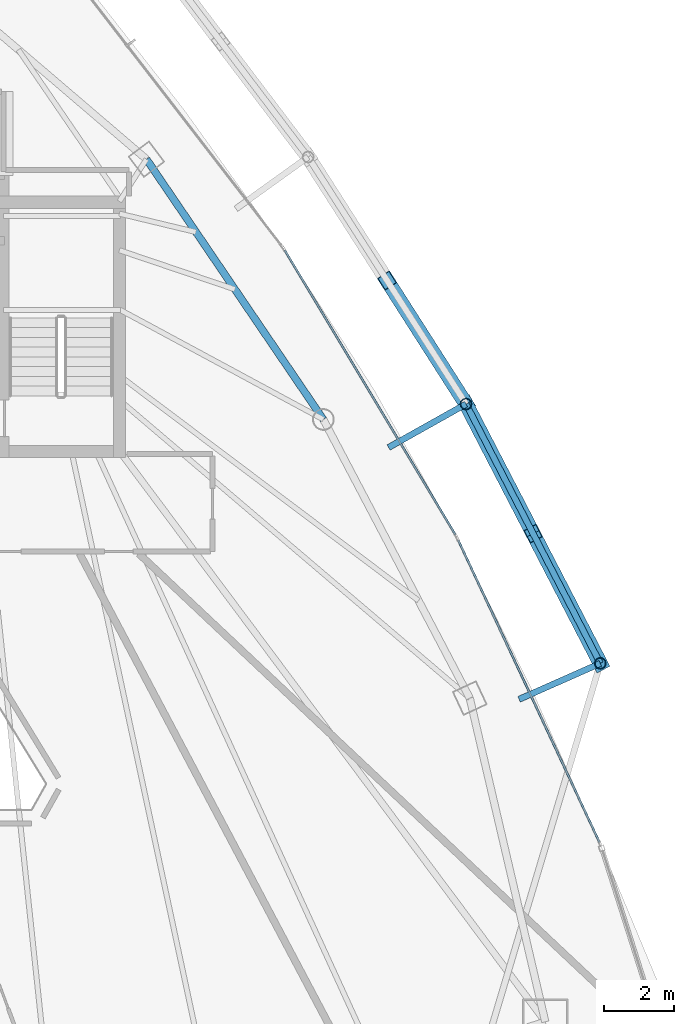
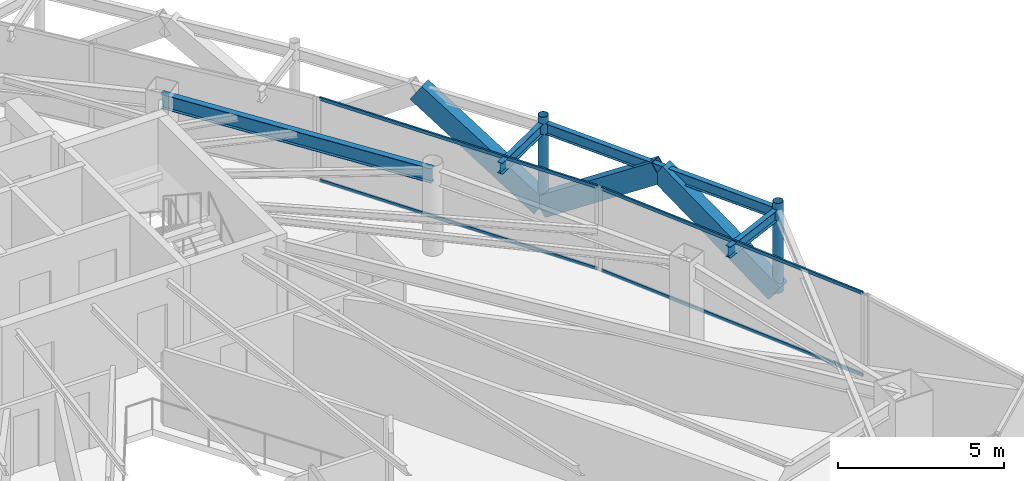
# One storey, part 18 of 30: 9 members, 4 beams, 2 elements without a shape of their own.
"""IFC4 building model written with IfcOpenShell, lengths in metres."""

from ifc_helpers import new_model, si_unit, direction, frame, origin, origin_2d, place, context, subcontext, project, spatial, hollow_rectangle, hollow_circle, i_section, extrude, material, layer, layer_set, material_profile, profile_set, type_object, element, aggregate, save


model = new_model("IFC4")

# Units and contexts
model_context = context("Model", 3, precision=1e-05, world=origin(), true_north=direction((0.0, 1.0)))
body_context = subcontext(model_context, "Body", "Model", "MODEL_VIEW")
ifc_project = project(units=[si_unit("LENGTHUNIT", "METRE"), si_unit("AREAUNIT", "SQUARE_METRE"), si_unit("VOLUMEUNIT", "CUBIC_METRE"), si_unit("PLANEANGLEUNIT", "RADIAN"), si_unit("MASSUNIT", "GRAM", prefix="KILO")], contexts=[model_context])

# Site, building, storey
site_placement = place(None, origin())
site = spatial("IfcSite", under=ifc_project, at=site_placement, CompositionType="ELEMENT")
building_placement = place(site_placement, origin())
building = spatial("IfcBuilding", under=site, at=building_placement, Name="Orvanel Arch Residences", CompositionType="ELEMENT")
storey_placement = place(building_placement, frame((0.0, 0.0, 240.35009765625)))
storey = spatial("IfcBuildingStorey", under=building, at=storey_placement, Name="L68", CompositionType="ELEMENT", Elevation=240.35009765625)

# Members
ifc_material_1 = material(Name="Structural steel AS/NZS 3678 Grade 350", Category="steel")
ifc_material_profile_1 = material_profile(ifc_material_1, hollow_rectangle(XDim=0.419921875, YDim=0.719970703125, WallThickness=0.02490234375, at=origin_2d()), Name="RHS720x420x25")
ifc_profile_set_1 = profile_set([ifc_material_profile_1], Name="Structural steel AS/NZS 3678 Grade 350")
member_type_1 = type_object("IfcMemberType", Name="BR-720RHS-EXT", PredefinedType="BRACE", material=ifc_profile_set_1)
member_1_placement = place(storey_placement, frame((53.3798828125, 20.639892578125, 0.0), z_axis=(-0.379894288389, 0.733798089544, 0.563223484445), x_axis=(-0.888047920471, -0.459750900976, 0.0)))
element("IfcMember", 1, at=member_1_placement, inside=storey, type_object=member_type_1, Name="L68 Exterior Sky-Garden V-Frame Chevron F3B1.1", PredefinedType="BRACE", context=body_context, shape_type="SweptSolid", body=[
    extrude(hollow_rectangle(XDim=0.419921875, YDim=0.719970703125, WallThickness=0.02490234375, at=origin_2d()), origin(), (0.0, 0.0, 1.0), 5.072509765625),
])
member_2_placement = place(storey_placement, frame((49.52587890625, 28.083984375, 0.0), z_axis=(0.379907705801, -0.733775874184, 0.563243376826), x_axis=(0.888035607599, 0.459774683554, 0.0)))
element("IfcMember", 2, at=member_2_placement, inside=storey, type_object=member_type_1, Name="L68 Exterior Sky-Garden V-Frame Chevron F3B1.2", PredefinedType="BRACE", context=body_context, shape_type="SweptSolid", body=[
    extrude(hollow_rectangle(XDim=0.419921875, YDim=0.719970703125, WallThickness=0.02490234375, at=origin_2d()), origin(), (0.0, 0.0, 1.0), 5.072265625),
])
member_3_placement = place(storey_placement, frame((49.52587890625, 28.083984375, 0.0), z_axis=(-0.44549181662, 0.697157972695, 0.561700812206), x_axis=(-0.842649460961, -0.538462520461, 0.0)))
element("IfcMember", 3, at=member_3_placement, inside=storey, type_object=member_type_1, Name="L68 Exterior Sky-Garden V-Frame Chevron F3B2.1", PredefinedType="BRACE", context=body_context, shape_type="SweptSolid", body=[
    extrude(hollow_rectangle(XDim=0.419921875, YDim=0.719970703125, WallThickness=0.02490234375, at=origin_2d()), origin(), (0.0, 0.0, 1.0), 5.086181640625),
])

# Beams
ifc_material_2 = material(Name="Structural steel AS/NZS 3679.1 Grade 300 (300 MPa)", Category="steel")
ifc_material_profile_2 = material_profile(ifc_material_2, i_section(OverallWidth=0.177978515625, OverallDepth=0.406005859375, WebThickness=0.0078125, FlangeThickness=0.0126953125, at=origin_2d()), Name="410UB59.7")
ifc_profile_set_2 = profile_set([ifc_material_profile_2], Name="Structural steel AS/NZS 3679.1 Grade 300 (300 MPa)")
beam_type_1 = type_object("IfcBeamType", Name="OB-410UB-EXT", PredefinedType="SPANDREL", material=ifc_profile_set_2)
beam_1_placement = place(storey_placement, frame((51.049072265625, 19.60791015625, 2.85693359375), z_axis=(0.914383327553, 0.404849515614, 0.0), x_axis=(-0.404849515614, 0.914383327553, 0.0)))
element("IfcBeam", 4, at=beam_1_placement, inside=storey, type_object=beam_type_1, Name="L68 Outer Frame Radial Tie Beam 09", PredefinedType="SPANDREL", context=body_context, shape_type="SweptSolid", body=[
    extrude(i_section(OverallWidth=0.177978515625, OverallDepth=0.406005859375, WebThickness=0.0078125, FlangeThickness=0.0126953125, at=origin_2d()), origin(), (0.0, 0.0, 1.0), 2.549072265625),
])
beam_2_placement = place(storey_placement, frame((53.3798828125, 20.639892578125, 2.85693359375), z_axis=(-0.459762791998, 0.888041764273, 0.0), x_axis=(-0.888041764273, -0.459762791998, 0.0)))
element("IfcBeam", 5, at=beam_2_placement, inside=storey, type_object=beam_type_1, Name="L68 Outer Perimeter Floor Ring Beam 09", PredefinedType="SPANDREL", context=body_context, shape_type="SweptSolid", body=[
    extrude(i_section(OverallWidth=0.177978515625, OverallDepth=0.406005859375, WebThickness=0.0078125, FlangeThickness=0.0126953125, at=origin_2d()), origin(), (0.0, 0.0, 1.0), 8.382568359375),
])
beam_3_placement = place(storey_placement, frame((47.302001953125, 26.8369140625, 2.85693359375), z_axis=(0.872221755946, 0.489110630077, 0.0), x_axis=(-0.489110630077, 0.872221755946, 0.0)))
element("IfcBeam", 6, at=beam_3_placement, inside=storey, type_object=beam_type_1, Name="L68 Outer Frame Radial Tie Beam 10", PredefinedType="SPANDREL", context=body_context, shape_type="SweptSolid", body=[
    extrude(i_section(OverallWidth=0.177978515625, OverallDepth=0.406005859375, WebThickness=0.0078125, FlangeThickness=0.0126953125, at=origin_2d()), origin(), (0.0, 0.0, 1.0), 2.549560546875),
])
ifc_material_profile_3 = material_profile(ifc_material_2, i_section(OverallWidth=0.208984375, OverallDepth=0.532958984375, WebThickness=0.01025390625, FlangeThickness=0.015625, at=origin_2d()), Name="530UB92.4")
ifc_profile_set_3 = profile_set([ifc_material_profile_3], Name="Structural steel AS/NZS 3679.1 Grade 300 (300 MPa)")
beam_type_2 = type_object("IfcBeamType", Name="SP-530UB", PredefinedType="SPANDREL", material=ifc_profile_set_3)
beam_4_placement = place(storey_placement, frame((45.430908203125, 27.64111328125, 2.79296875), z_axis=(-0.562154793153, 0.827032035978, 0.0), x_axis=(-0.827032035978, -0.562154793153, 0.0)))
element("IfcBeam", 7, at=beam_4_placement, inside=storey, type_object=beam_type_2, Name="L68 Perimeter Spandrel Beam 08", PredefinedType="SPANDREL", context=body_context, shape_type="SweptSolid", body=[
    extrude(i_section(OverallWidth=0.208984375, OverallDepth=0.532958984375, WebThickness=0.01025390625, FlangeThickness=0.015625, at=origin_2d()), origin(), (0.0, 0.0, 1.0), 9.03466796875),
])

# Members
ifc_material_3 = material(Name="Structural steel AS/NZS 1163 C350L0 (Grade 350)", Category="steel")
ifc_material_profile_4 = material_profile(ifc_material_3, hollow_circle(Radius=0.162109375, WallThickness=0.0126953125, at=origin_2d()), Name="CHS324x12.7")
ifc_profile_set_4 = profile_set([ifc_material_profile_4], Name="Structural steel AS/NZS 1163 C350L0 (Grade 350)")
member_type_2 = type_object("IfcMemberType", Name="ST-324CHS-EXT", PredefinedType="STRUT", material=ifc_profile_set_4)
for number, where, z_axis, x_axis, name in (
    (8, (53.3798828125, 20.639892578125, 0.0), (0.0, 0.0, 1.0), (1.0, 0.0, 0.0), "L68 Outer Perimeter Frame Post 09"),
    (9, (49.52587890625, 28.083984375, 0.0), (0.0, 0.0, 1.0), (1.0, 0.0, 0.0), "L68 Outer Perimeter Frame Post 10"),
):
    element("IfcMember", number, at=place(storey_placement, frame(where, z_axis=z_axis, x_axis=x_axis)), inside=storey, type_object=member_type_2, Name=name, PredefinedType="STRUT", context=body_context, shape_type="SweptSolid", body=[
        extrude(hollow_circle(Radius=0.162109375, WallThickness=0.0126953125, at=origin_2d()), origin(), (0.0, 0.0, 1.0), 3.2998046875),
    ])

# Curtain wall, members
ifc_material_4 = material(Name="Bronze-anodised aluminium AA6063-T6", Category="aluminium")
ifc_layer = layer(ifc_material_4, 0.175048828125)
ifc_layer_set = layer_set([ifc_layer], Name="Bronze-anodised aluminium AA6063-T6")
curtain_wall_type = type_object("IfcCurtainWallType", Name="CW4-HI-SYS", PredefinedType="NOTDEFINED", material=ifc_layer_set)
curtain_wall_1_placement = place(storey_placement, origin())
curtain_wall_1 = element("IfcCurtainWall", 10, at=curtain_wall_1_placement, inside=storey, type_object=curtain_wall_type, Name="L68 CW4-HI-SYS Unitised Curtain Wall", PredefinedType="NOTDEFINED")
ifc_material_profile_5 = material_profile(ifc_material_4, hollow_rectangle(XDim=0.06005859375, YDim=0.1201171875, WallThickness=0.00341796875, at=origin_2d()), Name="ALU120x60x3.5")
ifc_profile_set_5 = profile_set([ifc_material_profile_5], Name="Bronze-anodised aluminium AA6063-T6")
member_type_3 = type_object("IfcMemberType", Name="TRN-120x60", PredefinedType="USERDEFINED", material=ifc_profile_set_5)
member_4_placement = place(storey_placement, frame((53.3583984375, 15.5, 0.02978515625), z_axis=(-0.423455828106, 0.905916752049, 0.0), x_axis=(-0.905916752049, -0.423455828106, 0.0)))
member_4 = element("IfcMember", 11, at=member_4_placement, type_object=member_type_3, Name="CW-S4 transom 1.1", ObjectType="TRANSOM", PredefinedType="USERDEFINED", context=body_context, shape_type="SweptSolid", body=[
    extrude(hollow_rectangle(XDim=0.06005859375, YDim=0.1201171875, WallThickness=0.00341796875, at=origin_2d()), origin(), (0.0, 0.0, 1.0), 9.582763671875),
])
member_5_placement = place(storey_placement, frame((53.3583984375, 15.5, 3.02978515625), z_axis=(-0.423455828106, 0.905916752049, 0.0), x_axis=(-0.905916752049, -0.423455828106, 0.0)))
member_5 = element("IfcMember", 12, at=member_5_placement, type_object=member_type_3, Name="CW-S4 transom 1.2", ObjectType="TRANSOM", PredefinedType="USERDEFINED", context=body_context, shape_type="SweptSolid", body=[
    extrude(hollow_rectangle(XDim=0.06005859375, YDim=0.1201171875, WallThickness=0.00341796875, at=origin_2d()), origin(), (0.0, 0.0, 1.0), 9.582763671875),
])
aggregate(curtain_wall_1, [member_4, member_5])

curtain_wall_2_placement = place(storey_placement, origin())
curtain_wall_2 = element("IfcCurtainWall", 13, at=curtain_wall_2_placement, inside=storey, type_object=curtain_wall_type, Name="L68 CW4-HI-SYS Unitised Curtain Wall", PredefinedType="NOTDEFINED")
member_6_placement = place(storey_placement, frame((49.2216796875, 24.330810546875, 0.02978515625), z_axis=(-0.514488221049, 0.857497446295, 0.0), x_axis=(-0.857497446295, -0.514488221049, 0.0)))
member_6 = element("IfcMember", 14, at=member_6_placement, type_object=member_type_3, Name="CW-S4 transom 1.1", ObjectType="TRANSOM", PredefinedType="USERDEFINED", context=body_context, shape_type="SweptSolid", body=[
    extrude(hollow_rectangle(XDim=0.06005859375, YDim=0.1201171875, WallThickness=0.00341796875, at=origin_2d()), origin(), (0.0, 0.0, 1.0), 9.530517578125),
])
member_7_placement = place(storey_placement, frame((49.2216796875, 24.330810546875, 3.02978515625), z_axis=(-0.514488221049, 0.857497446295, 0.0), x_axis=(-0.857497446295, -0.514488221049, 0.0)))
member_7 = element("IfcMember", 15, at=member_7_placement, type_object=member_type_3, Name="CW-S4 transom 1.2", ObjectType="TRANSOM", PredefinedType="USERDEFINED", context=body_context, shape_type="SweptSolid", body=[
    extrude(hollow_rectangle(XDim=0.06005859375, YDim=0.1201171875, WallThickness=0.00341796875, at=origin_2d()), origin(), (0.0, 0.0, 1.0), 9.530517578125),
])
aggregate(curtain_wall_2, [member_6, member_7])

save(model, "model.ifc")
